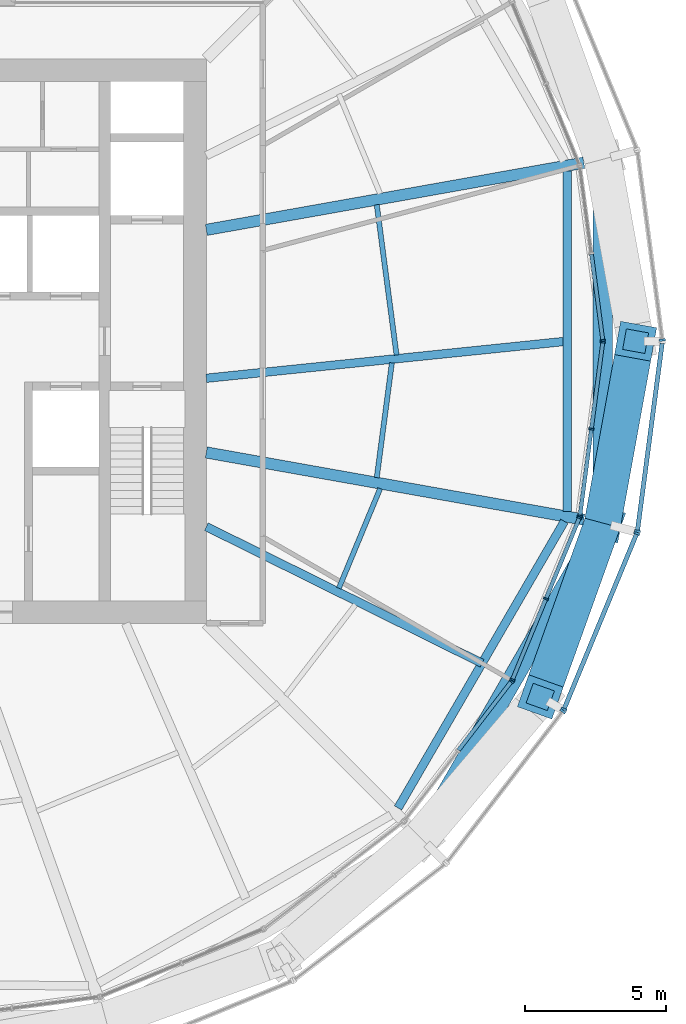
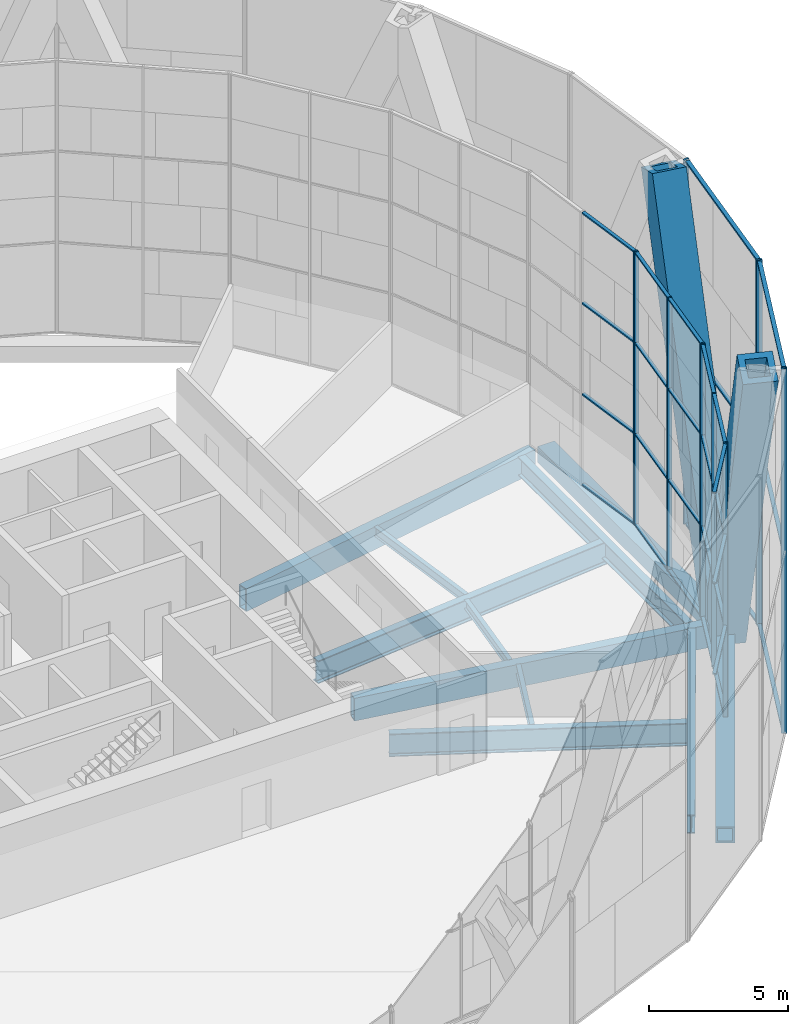
# One storey, part 5 of 26: 44 members, 11 beams, 8 elements without a shape of their own.
"""IFC4 building model written with IfcOpenShell, lengths in metres."""

from ifc_helpers import new_model, si_unit, direction, frame, origin, origin_2d, place, context, subcontext, project, spatial, rectangle, hollow_rectangle, i_section, extrude, material, material_profile, profile_set, type_object, element, aggregate, save


model = new_model("IFC4")

# Units and contexts
model_context = context("Model", 3, precision=1e-05, world=origin(), true_north=direction((0.0, 1.0)))
body_context = subcontext(model_context, "Body", "Model", "MODEL_VIEW")
ifc_project = project(units=[si_unit("LENGTHUNIT", "METRE"), si_unit("AREAUNIT", "SQUARE_METRE"), si_unit("VOLUMEUNIT", "CUBIC_METRE"), si_unit("PLANEANGLEUNIT", "RADIAN"), si_unit("MASSUNIT", "GRAM", prefix="KILO")], contexts=[model_context])

# Site, building, storey
site_placement = place(None, origin())
site = spatial("IfcSite", under=ifc_project, at=site_placement, CompositionType="ELEMENT")
building_placement = place(site_placement, origin())
building = spatial("IfcBuilding", under=site, at=building_placement, Name="Golbaran Civic Tower", CompositionType="ELEMENT")
storey_placement = place(building_placement, frame((0.0, 0.0, 69.0)))
storey = spatial("IfcBuildingStorey", under=building, at=storey_placement, Name="L16", CompositionType="ELEMENT", Elevation=69.0)

# Members
ifc_material_1 = material(Name="Steel S355", Category="steel")
ifc_material_profile_1 = material_profile(ifc_material_1, hollow_rectangle(XDim=1.300048828125, YDim=1.300048828125, WallThickness=0.25, at=origin_2d()), Name="BOX 1300x1300x250")
ifc_profile_set_1 = profile_set([ifc_material_profile_1], Name="Steel S355")
member_type_1 = type_object("IfcMemberType", Name="DIAGRID DIAGONAL BOX 1300x1300x250", PredefinedType="BRACE", material=ifc_profile_set_1)
for number, where, z_axis, x_axis, name in (
    (1, (24.04296875, -6.4423828125, -0.7099609375), (0.067560240882, 0.372654606272, 0.925507513895), (-0.983960468528, 0.178386648531, 0.0), "Diagonal D03-11R L16-L20"),
    (2, (24.04296875, -6.4423828125, -0.7099609375), (-0.127819765109, -0.356500071861, 0.925510565262), (0.941324428799, -0.337503066276, 0.0), "Diagonal D03-11L L16-L20"),
):
    element("IfcMember", number, at=place(storey_placement, frame(where, z_axis=z_axis, x_axis=x_axis)), inside=storey, type_object=member_type_1, Name=name, PredefinedType="BRACE", context=body_context, shape_type="SweptSolid", body=[
        extrude(hollow_rectangle(XDim=1.300048828125, YDim=1.300048828125, WallThickness=0.25, at=origin_2d()), origin(), (0.0, 0.0, 1.0), 17.287841796875),
    ])

# Beams
ifc_material_profile_2 = material_profile(ifc_material_1, hollow_rectangle(XDim=0.699951171875, YDim=0.699951171875, WallThickness=0.080078125, at=origin_2d()), Name="BOX 700x700x80")
ifc_profile_set_2 = profile_set([ifc_material_profile_2], Name="Steel S355")
beam_type_1 = type_object("IfcBeamType", Name="DIAGRID RING TIE BOX 700x700x80", PredefinedType="BEAM", material=ifc_profile_set_2)
beam_1_placement = place(storey_placement, frame((17.6005859375, -17.6005859375, -0.7099609375), z_axis=(0.500011131643, 0.866018976832, 0.0), x_axis=(-0.866018976832, 0.500011131643, 0.0)))
element("IfcBeam", 3, at=beam_1_placement, inside=storey, type_object=beam_type_1, Name="Ring tie 315.00 L16", PredefinedType="BEAM", context=body_context, shape_type="SweptSolid", body=[
    extrude(hollow_rectangle(XDim=0.699951171875, YDim=0.699951171875, WallThickness=0.080078125, at=origin_2d()), origin(), (0.0, 0.0, 1.0), 12.884521484375),
])
beam_2_placement = place(storey_placement, frame((24.04296875, -6.4423828125, -0.7099609375), z_axis=(0.0, 1.0, 0.0), x_axis=(-1.0, 0.0, 0.0)))
element("IfcBeam", 4, at=beam_2_placement, inside=storey, type_object=beam_type_1, Name="Ring tie 345.00 L16", PredefinedType="BEAM", context=body_context, shape_type="SweptSolid", body=[
    extrude(hollow_rectangle(XDim=0.699951171875, YDim=0.699951171875, WallThickness=0.080078125, at=origin_2d()), origin(), (0.0, 0.0, 1.0), 12.884765625),
])
ifc_material_profile_3 = material_profile(ifc_material_1, i_section(OverallWidth=0.300048828125, OverallDepth=0.800048828125, WebThickness=0.017578125, FlangeThickness=0.032958984375, FilletRadius=0.030029296875, at=origin_2d()), Name="HEB 800")
ifc_profile_set_3 = profile_set([ifc_material_profile_3], Name="Steel S355")
beam_type_2 = type_object("IfcBeamType", Name="EDGE BEAM HEB 800", PredefinedType="BEAM", material=ifc_profile_set_3)
beam_3_placement = place(storey_placement, frame((16.79345703125, -16.538818359375, -0.60009765625), z_axis=(0.50199656433, 0.864869614104, 0.0), x_axis=(-0.864869614104, 0.50199656433, 0.0)))
element("IfcBeam", 5, at=beam_3_placement, inside=storey, type_object=beam_type_2, Name="Edge beam 315.00 L16", PredefinedType="BEAM", context=body_context, shape_type="SweptSolid", body=[
    extrude(i_section(OverallWidth=0.300048828125, OverallDepth=0.800048828125, WebThickness=0.017578125, FlangeThickness=0.032958984375, FilletRadius=0.030029296875, at=origin_2d()), origin(), (0.0, 0.0, 1.0), 11.74169921875),
])
beam_4_placement = place(storey_placement, frame((22.783935546875, -6.035400390625, -0.60009765625), z_axis=(0.0, 1.0, 0.0), x_axis=(-1.0, 0.0, 0.0)))
element("IfcBeam", 6, at=beam_4_placement, inside=storey, type_object=beam_type_2, Name="Edge beam 345.00 L16", PredefinedType="BEAM", context=body_context, shape_type="SweptSolid", body=[
    extrude(i_section(OverallWidth=0.300048828125, OverallDepth=0.800048828125, WebThickness=0.017578125, FlangeThickness=0.032958984375, FilletRadius=0.030029296875, at=origin_2d()), origin(), (0.0, 0.0, 1.0), 12.07080078125),
])
ifc_material_profile_4 = material_profile(ifc_material_1, i_section(OverallWidth=0.179931640625, OverallDepth=0.39990234375, WebThickness=0.008544921875, FlangeThickness=0.013427734375, FilletRadius=0.02099609375, at=origin_2d()), Name="IPE 400")
ifc_profile_set_4 = profile_set([ifc_material_profile_4], Name="Steel S355")
beam_type_3 = type_object("IfcBeamType", Name="FLOOR INFILL BEAM IPE 400", PredefinedType="BEAM", material=ifc_profile_set_4)
beam_5_placement = place(storey_placement, frame((16.74072265625, -0.49072265625, -0.39990234375), z_axis=(-0.13053210805, 0.991444082522, 0.0), x_axis=(-0.991444082522, -0.13053210805, 0.0)))
element("IfcBeam", 7, at=beam_5_placement, inside=storey, type_object=beam_type_3, Name="Infill beam 7.50 L16", PredefinedType="BEAM", context=body_context, shape_type="SweptSolid", body=[
    extrude(i_section(OverallWidth=0.179931640625, OverallDepth=0.39990234375, WebThickness=0.008544921875, FlangeThickness=0.013427734375, FilletRadius=0.02099609375, at=origin_2d()), origin(), (0.0, 0.0, 1.0), 5.37158203125),
])
beam_6_placement = place(storey_placement, frame((14.696044921875, -8.75390625, -0.39990234375), z_axis=(0.382660123613, 0.923889186968, 0.0), x_axis=(-0.923889186968, 0.382660123613, 0.0)))
element("IfcBeam", 8, at=beam_6_placement, inside=storey, type_object=beam_type_3, Name="Infill beam 337.50 L16", PredefinedType="BEAM", context=body_context, shape_type="SweptSolid", body=[
    extrude(i_section(OverallWidth=0.179931640625, OverallDepth=0.39990234375, WebThickness=0.008544921875, FlangeThickness=0.013427734375, FilletRadius=0.02099609375, at=origin_2d()), origin(), (0.0, 0.0, 1.0), 3.822998046875),
])
beam_7_placement = place(storey_placement, frame((16.03955078125, -4.8349609375, -0.39990234375), z_axis=(0.130553069552, 0.991441322535, 0.0), x_axis=(-0.991441322535, 0.130553069552, 0.0)))
element("IfcBeam", 9, at=beam_7_placement, inside=storey, type_object=beam_type_3, Name="Infill beam 352.50 L16", PredefinedType="BEAM", context=body_context, shape_type="SweptSolid", body=[
    extrude(i_section(OverallWidth=0.179931640625, OverallDepth=0.39990234375, WebThickness=0.008544921875, FlangeThickness=0.013427734375, FilletRadius=0.02099609375, at=origin_2d()), origin(), (0.0, 0.0, 1.0), 4.10107421875),
])

# Curtain wall, member
ifc_material_2 = material(Name="Aluminium and glass", Category="aluminium")
curtain_wall_type_1 = type_object("IfcCurtainWallType", Name="INNER SKIN CURTAIN WALL", PredefinedType="NOTDEFINED", material=ifc_material_2)
curtain_wall_1_placement = place(storey_placement, origin())
curtain_wall_1 = element("IfcCurtainWall", 10, at=curtain_wall_1_placement, inside=storey, type_object=curtain_wall_type_1, Name="Inner skin L16 facet 1 CW1", ObjectType="INNER SKIN", PredefinedType="USERDEFINED")
ifc_material_3 = material(Name="Aluminium", Category="aluminium")
ifc_material_profile_5 = material_profile(ifc_material_3, rectangle(XDim=0.179931640625, YDim=0.06494140625, at=origin_2d()), Name="INNER SKIN CURTAIN WALL MULLION")
ifc_profile_set_5 = profile_set([ifc_material_profile_5], Name="Aluminium")
member_type_2 = type_object("IfcMemberType", Name="INNER SKIN CURTAIN WALL MULLION", PredefinedType="MULLION", material=ifc_profile_set_5)
member_1_placement = place(storey_placement, frame((24.048828125, 0.0322265625, 0.0), z_axis=(0.0, 0.0, 1.0), x_axis=(-0.991444861381, -0.130526192168, 0.0)))
member_1 = element("IfcMember", 11, at=member_1_placement, type_object=member_type_2, Name="CW1 mullion 1", PredefinedType="MULLION", context=body_context, shape_type="SweptSolid", body=[
    extrude(rectangle(XDim=0.179931640625, YDim=0.06494140625, at=origin_2d()), origin(), (0.0, 0.0, 1.0), 12.0),
])

curtain_wall_2_placement = place(storey_placement, origin())
curtain_wall_2 = element("IfcCurtainWall", 12, at=curtain_wall_2_placement, inside=storey, type_object=curtain_wall_type_1, Name="Inner skin L16 facet 22 CW1", ObjectType="INNER SKIN", PredefinedType="USERDEFINED")
member_2_placement = place(storey_placement, frame((20.810791015625, -12.05224609375, 0.0), z_axis=(0.0, 0.0, 1.0), x_axis=(-0.793353340323, 0.608761428967, 0.0)))
member_2 = element("IfcMember", 13, at=member_2_placement, type_object=member_type_2, Name="CW1 mullion 3", PredefinedType="MULLION", context=body_context, shape_type="SweptSolid", body=[
    extrude(rectangle(XDim=0.179931640625, YDim=0.06494140625, at=origin_2d()), origin(), (0.0, 0.0, 1.0), 12.0),
])

# Curtain wall, members
curtain_wall_3_placement = place(storey_placement, origin())
curtain_wall_3 = element("IfcCurtainWall", 14, at=curtain_wall_3_placement, inside=storey, type_object=curtain_wall_type_1, Name="Inner skin L16 facet 23 CW1", ObjectType="INNER SKIN", PredefinedType="USERDEFINED")
member_3_placement = place(storey_placement, frame((20.843017578125, -11.99658203125, 0.0), z_axis=(0.0, 0.0, 1.0), x_axis=(-0.923879532478, 0.382683432446, 0.0)))
member_3 = element("IfcMember", 15, at=member_3_placement, type_object=member_type_2, Name="CW1 mullion 1", PredefinedType="MULLION", context=body_context, shape_type="SweptSolid", body=[
    extrude(rectangle(XDim=0.179931640625, YDim=0.06494140625, at=origin_2d()), origin(), (0.0, 0.0, 1.0), 12.0),
])
member_4_placement = place(storey_placement, frame((22.031982421875, -9.1259765625, 0.0), z_axis=(0.0, 0.0, 1.0), x_axis=(-0.923879532478, 0.382683432446, 0.0)))
member_4 = element("IfcMember", 16, at=member_4_placement, type_object=member_type_2, Name="CW1 mullion 2", PredefinedType="MULLION", context=body_context, shape_type="SweptSolid", body=[
    extrude(rectangle(XDim=0.179931640625, YDim=0.06494140625, at=origin_2d()), origin(), (0.0, 0.0, 1.0), 12.0),
])
member_5_placement = place(storey_placement, frame((23.220947265625, -6.25537109375, 0.0), z_axis=(0.0, 0.0, 1.0), x_axis=(-0.923879532478, 0.382683432446, 0.0)))
member_5 = element("IfcMember", 17, at=member_5_placement, type_object=member_type_2, Name="CW1 mullion 3", PredefinedType="MULLION", context=body_context, shape_type="SweptSolid", body=[
    extrude(rectangle(XDim=0.179931640625, YDim=0.06494140625, at=origin_2d()), origin(), (0.0, 0.0, 1.0), 12.0),
])

curtain_wall_4_placement = place(storey_placement, origin())
curtain_wall_4 = element("IfcCurtainWall", 18, at=curtain_wall_4_placement, inside=storey, type_object=curtain_wall_type_1, Name="Inner skin L16 facet 24 CW1", ObjectType="INNER SKIN", PredefinedType="USERDEFINED")
member_6_placement = place(storey_placement, frame((23.237548828125, -6.193115234375, 0.0), z_axis=(0.0, 0.0, 1.0), x_axis=(-0.991444861381, 0.130526192168, 0.0)))
member_6 = element("IfcMember", 19, at=member_6_placement, type_object=member_type_2, Name="CW1 mullion 1", PredefinedType="MULLION", context=body_context, shape_type="SweptSolid", body=[
    extrude(rectangle(XDim=0.179931640625, YDim=0.06494140625, at=origin_2d()), origin(), (0.0, 0.0, 1.0), 12.0),
])
member_7_placement = place(storey_placement, frame((23.643310546875, -3.11279296875, 0.0), z_axis=(0.0, 0.0, 1.0), x_axis=(-0.991444861381, 0.130526192168, 0.0)))
member_7 = element("IfcMember", 20, at=member_7_placement, type_object=member_type_2, Name="CW1 mullion 2", PredefinedType="MULLION", context=body_context, shape_type="SweptSolid", body=[
    extrude(rectangle(XDim=0.179931640625, YDim=0.06494140625, at=origin_2d()), origin(), (0.0, 0.0, 1.0), 12.0),
])
member_8_placement = place(storey_placement, frame((24.048828125, -0.0322265625, 0.0), z_axis=(0.0, 0.0, 1.0), x_axis=(-0.991444861381, 0.130526192168, 0.0)))
member_8 = element("IfcMember", 21, at=member_8_placement, type_object=member_type_2, Name="CW1 mullion 3", PredefinedType="MULLION", context=body_context, shape_type="SweptSolid", body=[
    extrude(rectangle(XDim=0.179931640625, YDim=0.06494140625, at=origin_2d()), origin(), (0.0, 0.0, 1.0), 12.0),
])

# Member
ifc_material_profile_6 = material_profile(ifc_material_3, rectangle(XDim=0.139892578125, YDim=0.06494140625, at=origin_2d()), Name="INNER SKIN CURTAIN WALL TRANSOM")
ifc_profile_set_6 = profile_set([ifc_material_profile_6], Name="Aluminium")
member_type_3 = type_object("IfcMemberType", Name="INNER SKIN CURTAIN WALL TRANSOM", PredefinedType="USERDEFINED", material=ifc_profile_set_6)
member_9_placement = place(storey_placement, frame((24.04443359375, 0.064453125, 0.032470703125), z_axis=(-0.130491880255, 0.991449378026, 0.0), x_axis=(-0.991449378026, -0.130491880255, 0.0)))
member_9 = element("IfcMember", 22, at=member_9_placement, type_object=member_type_3, Name="CW1 transom 1.1", ObjectType="TRANSOM", PredefinedType="USERDEFINED", context=body_context, shape_type="SweptSolid", body=[
    extrude(rectangle(XDim=0.139892578125, YDim=0.06494140625, at=origin_2d()), origin(), (0.0, 0.0, 1.0), 3.042236328125),
])

member_10_placement = place(storey_placement, frame((24.04443359375, 0.064453125, 4.0), z_axis=(-0.130491880255, 0.991449378026, 0.0), x_axis=(-0.991449378026, -0.130491880255, 0.0)))
member_10 = element("IfcMember", 23, at=member_10_placement, type_object=member_type_3, Name="CW1 transom 1.2", ObjectType="TRANSOM", PredefinedType="USERDEFINED", context=body_context, shape_type="SweptSolid", body=[
    extrude(rectangle(XDim=0.139892578125, YDim=0.06494140625, at=origin_2d()), origin(), (0.0, 0.0, 1.0), 3.042236328125),
])

member_11_placement = place(storey_placement, frame((24.04443359375, 0.064453125, 8.0), z_axis=(-0.130491880255, 0.991449378026, 0.0), x_axis=(-0.991449378026, -0.130491880255, 0.0)))
member_11 = element("IfcMember", 24, at=member_11_placement, type_object=member_type_3, Name="CW1 transom 1.3", ObjectType="TRANSOM", PredefinedType="USERDEFINED", context=body_context, shape_type="SweptSolid", body=[
    extrude(rectangle(XDim=0.139892578125, YDim=0.06494140625, at=origin_2d()), origin(), (0.0, 0.0, 1.0), 3.042236328125),
])

member_12_placement = place(storey_placement, frame((24.04443359375, 0.064453125, 11.967529296875), z_axis=(-0.130491880255, 0.991449378026, 0.0), x_axis=(-0.991449378026, -0.130491880255, 0.0)))
member_12 = element("IfcMember", 25, at=member_12_placement, type_object=member_type_3, Name="CW1 transom 1.4", ObjectType="TRANSOM", PredefinedType="USERDEFINED", context=body_context, shape_type="SweptSolid", body=[
    extrude(rectangle(XDim=0.139892578125, YDim=0.06494140625, at=origin_2d()), origin(), (0.0, 0.0, 1.0), 3.042236328125),
])

aggregate(curtain_wall_1, [member_1, member_9, member_10, member_11, member_12])

member_13_placement = place(storey_placement, frame((18.93896484375, -14.491455078125, 4.0), z_axis=(0.608810562982, 0.79331563605, 0.0), x_axis=(-0.79331563605, 0.608810562982, 0.0)))
member_13 = element("IfcMember", 26, at=member_13_placement, type_object=member_type_3, Name="CW1 transom 2.2", ObjectType="TRANSOM", PredefinedType="USERDEFINED", context=body_context, shape_type="SweptSolid", body=[
    extrude(rectangle(XDim=0.139892578125, YDim=0.06494140625, at=origin_2d()), origin(), (0.0, 0.0, 1.0), 3.0419921875),
])

member_14_placement = place(storey_placement, frame((18.93896484375, -14.491455078125, 8.0), z_axis=(0.608810562982, 0.79331563605, 0.0), x_axis=(-0.79331563605, 0.608810562982, 0.0)))
member_14 = element("IfcMember", 27, at=member_14_placement, type_object=member_type_3, Name="CW1 transom 2.3", ObjectType="TRANSOM", PredefinedType="USERDEFINED", context=body_context, shape_type="SweptSolid", body=[
    extrude(rectangle(XDim=0.139892578125, YDim=0.06494140625, at=origin_2d()), origin(), (0.0, 0.0, 1.0), 3.0419921875),
])

member_15_placement = place(storey_placement, frame((18.93896484375, -14.491455078125, 11.967529296875), z_axis=(0.608810562982, 0.79331563605, 0.0), x_axis=(-0.79331563605, 0.608810562982, 0.0)))
member_15 = element("IfcMember", 28, at=member_15_placement, type_object=member_type_3, Name="CW1 transom 2.4", ObjectType="TRANSOM", PredefinedType="USERDEFINED", context=body_context, shape_type="SweptSolid", body=[
    extrude(rectangle(XDim=0.139892578125, YDim=0.06494140625, at=origin_2d()), origin(), (0.0, 0.0, 1.0), 3.0419921875),
])

aggregate(curtain_wall_2, [member_2, member_13, member_14, member_15])

member_16_placement = place(storey_placement, frame((20.85546875, -11.966552734375, 0.032470703125), z_axis=(0.382654214168, 0.923891634543, 0.0), x_axis=(-0.923891634543, 0.382654214168, 0.0)))
member_16 = element("IfcMember", 29, at=member_16_placement, type_object=member_type_3, Name="CW1 transom 1.1", ObjectType="TRANSOM", PredefinedType="USERDEFINED", context=body_context, shape_type="SweptSolid", body=[
    extrude(rectangle(XDim=0.139892578125, YDim=0.06494140625, at=origin_2d()), origin(), (0.0, 0.0, 1.0), 3.0419921875),
])

member_17_placement = place(storey_placement, frame((20.85546875, -11.966552734375, 4.0), z_axis=(0.382654214168, 0.923891634543, 0.0), x_axis=(-0.923891634543, 0.382654214168, 0.0)))
member_17 = element("IfcMember", 30, at=member_17_placement, type_object=member_type_3, Name="CW1 transom 1.2", ObjectType="TRANSOM", PredefinedType="USERDEFINED", context=body_context, shape_type="SweptSolid", body=[
    extrude(rectangle(XDim=0.139892578125, YDim=0.06494140625, at=origin_2d()), origin(), (0.0, 0.0, 1.0), 3.0419921875),
])

member_18_placement = place(storey_placement, frame((20.85546875, -11.966552734375, 8.0), z_axis=(0.382654214168, 0.923891634543, 0.0), x_axis=(-0.923891634543, 0.382654214168, 0.0)))
member_18 = element("IfcMember", 31, at=member_18_placement, type_object=member_type_3, Name="CW1 transom 1.3", ObjectType="TRANSOM", PredefinedType="USERDEFINED", context=body_context, shape_type="SweptSolid", body=[
    extrude(rectangle(XDim=0.139892578125, YDim=0.06494140625, at=origin_2d()), origin(), (0.0, 0.0, 1.0), 3.0419921875),
])

member_19_placement = place(storey_placement, frame((20.85546875, -11.966552734375, 11.967529296875), z_axis=(0.382654214168, 0.923891634543, 0.0), x_axis=(-0.923891634543, 0.382654214168, 0.0)))
member_19 = element("IfcMember", 32, at=member_19_placement, type_object=member_type_3, Name="CW1 transom 1.4", ObjectType="TRANSOM", PredefinedType="USERDEFINED", context=body_context, shape_type="SweptSolid", body=[
    extrude(rectangle(XDim=0.139892578125, YDim=0.06494140625, at=origin_2d()), origin(), (0.0, 0.0, 1.0), 3.0419921875),
])

member_20_placement = place(storey_placement, frame((22.04443359375, -9.095947265625, 0.032470703125), z_axis=(0.382654214168, 0.923891634543, 0.0), x_axis=(-0.923891634543, 0.382654214168, 0.0)))
member_20 = element("IfcMember", 33, at=member_20_placement, type_object=member_type_3, Name="CW1 transom 2.1", ObjectType="TRANSOM", PredefinedType="USERDEFINED", context=body_context, shape_type="SweptSolid", body=[
    extrude(rectangle(XDim=0.139892578125, YDim=0.06494140625, at=origin_2d()), origin(), (0.0, 0.0, 1.0), 3.0419921875),
])

member_21_placement = place(storey_placement, frame((22.04443359375, -9.095947265625, 4.0), z_axis=(0.382654214168, 0.923891634543, 0.0), x_axis=(-0.923891634543, 0.382654214168, 0.0)))
member_21 = element("IfcMember", 34, at=member_21_placement, type_object=member_type_3, Name="CW1 transom 2.2", ObjectType="TRANSOM", PredefinedType="USERDEFINED", context=body_context, shape_type="SweptSolid", body=[
    extrude(rectangle(XDim=0.139892578125, YDim=0.06494140625, at=origin_2d()), origin(), (0.0, 0.0, 1.0), 3.0419921875),
])

member_22_placement = place(storey_placement, frame((22.04443359375, -9.095947265625, 8.0), z_axis=(0.382654214168, 0.923891634543, 0.0), x_axis=(-0.923891634543, 0.382654214168, 0.0)))
member_22 = element("IfcMember", 35, at=member_22_placement, type_object=member_type_3, Name="CW1 transom 2.3", ObjectType="TRANSOM", PredefinedType="USERDEFINED", context=body_context, shape_type="SweptSolid", body=[
    extrude(rectangle(XDim=0.139892578125, YDim=0.06494140625, at=origin_2d()), origin(), (0.0, 0.0, 1.0), 3.0419921875),
])

member_23_placement = place(storey_placement, frame((22.04443359375, -9.095947265625, 11.967529296875), z_axis=(0.382654214168, 0.923891634543, 0.0), x_axis=(-0.923891634543, 0.382654214168, 0.0)))
member_23 = element("IfcMember", 36, at=member_23_placement, type_object=member_type_3, Name="CW1 transom 2.4", ObjectType="TRANSOM", PredefinedType="USERDEFINED", context=body_context, shape_type="SweptSolid", body=[
    extrude(rectangle(XDim=0.139892578125, YDim=0.06494140625, at=origin_2d()), origin(), (0.0, 0.0, 1.0), 3.0419921875),
])

aggregate(curtain_wall_3, [member_3, member_4, member_5, member_16, member_17, member_18, member_19, member_20, member_21, member_22, member_23])

member_24_placement = place(storey_placement, frame((23.241943359375, -6.160888671875, 0.032470703125), z_axis=(0.130502263934, 0.991448011299, 0.0), x_axis=(-0.991448011299, 0.130502263934, 0.0)))
member_24 = element("IfcMember", 37, at=member_24_placement, type_object=member_type_3, Name="CW1 transom 1.1", ObjectType="TRANSOM", PredefinedType="USERDEFINED", context=body_context, shape_type="SweptSolid", body=[
    extrude(rectangle(XDim=0.139892578125, YDim=0.06494140625, at=origin_2d()), origin(), (0.0, 0.0, 1.0), 3.0419921875),
])

member_25_placement = place(storey_placement, frame((23.241943359375, -6.160888671875, 4.0), z_axis=(0.130502263934, 0.991448011299, 0.0), x_axis=(-0.991448011299, 0.130502263934, 0.0)))
member_25 = element("IfcMember", 38, at=member_25_placement, type_object=member_type_3, Name="CW1 transom 1.2", ObjectType="TRANSOM", PredefinedType="USERDEFINED", context=body_context, shape_type="SweptSolid", body=[
    extrude(rectangle(XDim=0.139892578125, YDim=0.06494140625, at=origin_2d()), origin(), (0.0, 0.0, 1.0), 3.0419921875),
])

member_26_placement = place(storey_placement, frame((23.241943359375, -6.160888671875, 8.0), z_axis=(0.130502263934, 0.991448011299, 0.0), x_axis=(-0.991448011299, 0.130502263934, 0.0)))
member_26 = element("IfcMember", 39, at=member_26_placement, type_object=member_type_3, Name="CW1 transom 1.3", ObjectType="TRANSOM", PredefinedType="USERDEFINED", context=body_context, shape_type="SweptSolid", body=[
    extrude(rectangle(XDim=0.139892578125, YDim=0.06494140625, at=origin_2d()), origin(), (0.0, 0.0, 1.0), 3.0419921875),
])

member_27_placement = place(storey_placement, frame((23.241943359375, -6.160888671875, 11.967529296875), z_axis=(0.130502263934, 0.991448011299, 0.0), x_axis=(-0.991448011299, 0.130502263934, 0.0)))
member_27 = element("IfcMember", 40, at=member_27_placement, type_object=member_type_3, Name="CW1 transom 1.4", ObjectType="TRANSOM", PredefinedType="USERDEFINED", context=body_context, shape_type="SweptSolid", body=[
    extrude(rectangle(XDim=0.139892578125, YDim=0.06494140625, at=origin_2d()), origin(), (0.0, 0.0, 1.0), 3.0419921875),
])

member_28_placement = place(storey_placement, frame((23.6474609375, -3.08056640625, 0.032470703125), z_axis=(0.130491880255, 0.991449378026, 0.0), x_axis=(-0.991449378026, 0.130491880255, 0.0)))
member_28 = element("IfcMember", 41, at=member_28_placement, type_object=member_type_3, Name="CW1 transom 2.1", ObjectType="TRANSOM", PredefinedType="USERDEFINED", context=body_context, shape_type="SweptSolid", body=[
    extrude(rectangle(XDim=0.139892578125, YDim=0.06494140625, at=origin_2d()), origin(), (0.0, 0.0, 1.0), 3.042236328125),
])

member_29_placement = place(storey_placement, frame((23.6474609375, -3.08056640625, 4.0), z_axis=(0.130491880255, 0.991449378026, 0.0), x_axis=(-0.991449378026, 0.130491880255, 0.0)))
member_29 = element("IfcMember", 42, at=member_29_placement, type_object=member_type_3, Name="CW1 transom 2.2", ObjectType="TRANSOM", PredefinedType="USERDEFINED", context=body_context, shape_type="SweptSolid", body=[
    extrude(rectangle(XDim=0.139892578125, YDim=0.06494140625, at=origin_2d()), origin(), (0.0, 0.0, 1.0), 3.042236328125),
])

member_30_placement = place(storey_placement, frame((23.6474609375, -3.08056640625, 8.0), z_axis=(0.130491880255, 0.991449378026, 0.0), x_axis=(-0.991449378026, 0.130491880255, 0.0)))
member_30 = element("IfcMember", 43, at=member_30_placement, type_object=member_type_3, Name="CW1 transom 2.3", ObjectType="TRANSOM", PredefinedType="USERDEFINED", context=body_context, shape_type="SweptSolid", body=[
    extrude(rectangle(XDim=0.139892578125, YDim=0.06494140625, at=origin_2d()), origin(), (0.0, 0.0, 1.0), 3.042236328125),
])

member_31_placement = place(storey_placement, frame((23.6474609375, -3.08056640625, 11.967529296875), z_axis=(0.130491880255, 0.991449378026, 0.0), x_axis=(-0.991449378026, 0.130491880255, 0.0)))
member_31 = element("IfcMember", 44, at=member_31_placement, type_object=member_type_3, Name="CW1 transom 2.4", ObjectType="TRANSOM", PredefinedType="USERDEFINED", context=body_context, shape_type="SweptSolid", body=[
    extrude(rectangle(XDim=0.139892578125, YDim=0.06494140625, at=origin_2d()), origin(), (0.0, 0.0, 1.0), 3.042236328125),
])

aggregate(curtain_wall_4, [member_6, member_7, member_8, member_24, member_25, member_26, member_27, member_28, member_29, member_30, member_31])

# Curtain wall, member
curtain_wall_type_2 = type_object("IfcCurtainWallType", Name="OUTER SKIN TERRACOTTA SCREEN", PredefinedType="NOTDEFINED", material=ifc_material_2)
curtain_wall_5_placement = place(storey_placement, origin())
curtain_wall_5 = element("IfcCurtainWall", 45, at=curtain_wall_5_placement, inside=storey, type_object=curtain_wall_type_2, Name="Outer skin L16 facet 1 CW3", ObjectType="OUTER SKIN", PredefinedType="USERDEFINED")
ifc_material_profile_7 = material_profile(ifc_material_3, rectangle(XDim=0.219970703125, YDim=0.080078125, at=origin_2d()), Name="OUTER SKIN TERRACOTTA SCREEN MULLION")
ifc_profile_set_7 = profile_set([ifc_material_profile_7], Name="Aluminium")
member_type_4 = type_object("IfcMemberType", Name="OUTER SKIN TERRACOTTA SCREEN MULLION", PredefinedType="MULLION", material=ifc_profile_set_7)
member_32_placement = place(storey_placement, frame((26.15576171875, 0.03955078125, -0.7099609375), z_axis=(0.0, 0.0, 1.0), x_axis=(-0.991444861383, -0.130526192151, 0.0)))
member_32 = element("IfcMember", 46, at=member_32_placement, type_object=member_type_4, Name="CW3 mullion 1", PredefinedType="MULLION", context=body_context, shape_type="SweptSolid", body=[
    extrude(rectangle(XDim=0.219970703125, YDim=0.080078125, at=origin_2d()), origin(), (0.0, 0.0, 1.0), 16.0),
])
aggregate(curtain_wall_5, [member_32])

curtain_wall_6_placement = place(storey_placement, origin())
curtain_wall_6 = element("IfcCurtainWall", 47, at=curtain_wall_6_placement, inside=storey, type_object=curtain_wall_type_2, Name="Outer skin L16 facet 22 CW3", ObjectType="OUTER SKIN", PredefinedType="USERDEFINED")
member_33_placement = place(storey_placement, frame((22.6318359375, -13.1123046875, -0.7099609375), z_axis=(0.0, 0.0, 1.0), x_axis=(-0.793353340366, 0.608761428912, 0.0)))
member_33 = element("IfcMember", 48, at=member_33_placement, type_object=member_type_4, Name="CW3 mullion 2", PredefinedType="MULLION", context=body_context, shape_type="SweptSolid", body=[
    extrude(rectangle(XDim=0.219970703125, YDim=0.080078125, at=origin_2d()), origin(), (0.0, 0.0, 1.0), 16.0),
])
aggregate(curtain_wall_6, [member_33])

# Curtain wall, members
curtain_wall_7_placement = place(storey_placement, origin())
curtain_wall_7 = element("IfcCurtainWall", 49, at=curtain_wall_7_placement, inside=storey, type_object=curtain_wall_type_2, Name="Outer skin L16 facet 23 CW3", ObjectType="OUTER SKIN", PredefinedType="USERDEFINED")
member_34_placement = place(storey_placement, frame((22.67138671875, -13.04345703125, -0.7099609375), z_axis=(0.0, 0.0, 1.0), x_axis=(-0.923879532465, 0.382683432478, 0.0)))
member_34 = element("IfcMember", 50, at=member_34_placement, type_object=member_type_4, Name="CW3 mullion 1", PredefinedType="MULLION", context=body_context, shape_type="SweptSolid", body=[
    extrude(rectangle(XDim=0.219970703125, YDim=0.080078125, at=origin_2d()), origin(), (0.0, 0.0, 1.0), 16.0),
])
member_35_placement = place(storey_placement, frame((25.25439453125, -6.807861328125, -0.7099609375), z_axis=(0.0, 0.0, 1.0), x_axis=(-0.923879532465, 0.382683432478, 0.0)))
member_35 = element("IfcMember", 51, at=member_35_placement, type_object=member_type_4, Name="CW3 mullion 2", PredefinedType="MULLION", context=body_context, shape_type="SweptSolid", body=[
    extrude(rectangle(XDim=0.219970703125, YDim=0.080078125, at=origin_2d()), origin(), (0.0, 0.0, 1.0), 16.0),
])

# Curtain wall, member
curtain_wall_8_placement = place(storey_placement, origin())
curtain_wall_8 = element("IfcCurtainWall", 52, at=curtain_wall_8_placement, inside=storey, type_object=curtain_wall_type_2, Name="Outer skin L16 facet 24 CW3", ObjectType="OUTER SKIN", PredefinedType="USERDEFINED")
member_36_placement = place(storey_placement, frame((25.27490234375, -6.731201171875, -0.7099609375), z_axis=(0.0, 0.0, 1.0), x_axis=(-0.991444861383, 0.130526192151, 0.0)))
member_36 = element("IfcMember", 53, at=member_36_placement, type_object=member_type_4, Name="CW3 mullion 1", PredefinedType="MULLION", context=body_context, shape_type="SweptSolid", body=[
    extrude(rectangle(XDim=0.219970703125, YDim=0.080078125, at=origin_2d()), origin(), (0.0, 0.0, 1.0), 16.0),
])

# Member
ifc_material_profile_8 = material_profile(ifc_material_3, rectangle(XDim=0.159912109375, YDim=0.080078125, at=origin_2d()), Name="OUTER SKIN TERRACOTTA SCREEN TRANSOM")
ifc_profile_set_8 = profile_set([ifc_material_profile_8], Name="Aluminium")
member_type_5 = type_object("IfcMemberType", Name="OUTER SKIN TERRACOTTA SCREEN TRANSOM", PredefinedType="USERDEFINED", material=ifc_profile_set_8)
member_37_placement = place(storey_placement, frame((22.686767578125, -13.006591796875, -0.669921875), z_axis=(0.382685873056, 0.92387852154, 0.0), x_axis=(-0.92387852154, 0.382685873056, 0.0)))
member_37 = element("IfcMember", 54, at=member_37_placement, type_object=member_type_5, Name="CW3 transom 1.1", ObjectType="TRANSOM", PredefinedType="USERDEFINED", context=body_context, shape_type="SweptSolid", body=[
    extrude(rectangle(XDim=0.159912109375, YDim=0.080078125, at=origin_2d()), origin(), (0.0, 0.0, 1.0), 6.669189453125),
])

member_38_placement = place(storey_placement, frame((22.686767578125, -13.006591796875, 7.2900390625), z_axis=(0.382685873056, 0.92387852154, 0.0), x_axis=(-0.92387852154, 0.382685873056, 0.0)))
member_38 = element("IfcMember", 55, at=member_38_placement, type_object=member_type_5, Name="CW3 transom 1.2", ObjectType="TRANSOM", PredefinedType="USERDEFINED", context=body_context, shape_type="SweptSolid", body=[
    extrude(rectangle(XDim=0.159912109375, YDim=0.080078125, at=origin_2d()), origin(), (0.0, 0.0, 1.0), 6.669189453125),
])

member_39_placement = place(storey_placement, frame((22.686767578125, -13.006591796875, 15.25), z_axis=(0.382685873056, 0.92387852154, 0.0), x_axis=(-0.92387852154, 0.382685873056, 0.0)))
member_39 = element("IfcMember", 56, at=member_39_placement, type_object=member_type_5, Name="CW3 transom 1.3", ObjectType="TRANSOM", PredefinedType="USERDEFINED", context=body_context, shape_type="SweptSolid", body=[
    extrude(rectangle(XDim=0.159912109375, YDim=0.080078125, at=origin_2d()), origin(), (0.0, 0.0, 1.0), 6.669189453125),
])

aggregate(curtain_wall_7, [member_34, member_35, member_37, member_38, member_39])

member_40_placement = place(storey_placement, frame((25.280029296875, -6.691650390625, -0.669921875), z_axis=(0.130537841761, 0.991443327613, 0.0), x_axis=(-0.991443327613, 0.130537841761, 0.0)))
member_40 = element("IfcMember", 57, at=member_40_placement, type_object=member_type_5, Name="CW3 transom 1.1", ObjectType="TRANSOM", PredefinedType="USERDEFINED", context=body_context, shape_type="SweptSolid", body=[
    extrude(rectangle(XDim=0.159912109375, YDim=0.080078125, at=origin_2d()), origin(), (0.0, 0.0, 1.0), 6.66943359375),
])

member_41_placement = place(storey_placement, frame((25.280029296875, -6.691650390625, 7.2900390625), z_axis=(0.130537841761, 0.991443327613, 0.0), x_axis=(-0.991443327613, 0.130537841761, 0.0)))
member_41 = element("IfcMember", 58, at=member_41_placement, type_object=member_type_5, Name="CW3 transom 1.2", ObjectType="TRANSOM", PredefinedType="USERDEFINED", context=body_context, shape_type="SweptSolid", body=[
    extrude(rectangle(XDim=0.159912109375, YDim=0.080078125, at=origin_2d()), origin(), (0.0, 0.0, 1.0), 6.66943359375),
])

member_42_placement = place(storey_placement, frame((25.280029296875, -6.691650390625, 15.25), z_axis=(0.130537841761, 0.991443327613, 0.0), x_axis=(-0.991443327613, 0.130537841761, 0.0)))
member_42 = element("IfcMember", 59, at=member_42_placement, type_object=member_type_5, Name="CW3 transom 1.3", ObjectType="TRANSOM", PredefinedType="USERDEFINED", context=body_context, shape_type="SweptSolid", body=[
    extrude(rectangle(XDim=0.159912109375, YDim=0.080078125, at=origin_2d()), origin(), (0.0, 0.0, 1.0), 6.66943359375),
])

aggregate(curtain_wall_8, [member_36, member_40, member_41, member_42])

# Beams
ifc_material_profile_9 = material_profile(ifc_material_1, hollow_rectangle(XDim=0.39990234375, YDim=1.0, WallThickness=0.0400390625, at=origin_2d()), Name="BOX 1000x400x40")
ifc_profile_set_9 = profile_set([ifc_material_profile_9], Name="Steel S355")
beam_type_4 = type_object("IfcBeamType", Name="RADIAL FLOOR BEAM BOX 1000x400x40", PredefinedType="BEAM", material=ifc_profile_set_9)
for number, where, z_axis, x_axis, name in (
    (60, (10.0, 3.94287109375, -0.7099609375), (0.984526493234, 0.175235795771, 0.0), (-0.175235795771, 0.984526493234, 0.0), "Radial beam 15.00 L16"),
    (61, (10.0, -3.94287109375, -0.7099609375), (0.984526493234, -0.175235795771, 0.0), (0.175235795771, 0.984526493234, 0.0), "Radial beam 345.00 L16"),
):
    element("IfcBeam", number, at=place(storey_placement, frame(where, z_axis=z_axis, x_axis=x_axis)), inside=storey, type_object=beam_type_4, Name=name, PredefinedType="BEAM", context=body_context, shape_type="SweptSolid", body=[
        extrude(hollow_rectangle(XDim=0.39990234375, YDim=1.0, WallThickness=0.0400390625, at=origin_2d()), origin(), (0.0, 0.0, 1.0), 13.585205078125),
    ])
ifc_material_profile_10 = material_profile(ifc_material_1, i_section(OverallWidth=0.300048828125, OverallDepth=1.0, WebThickness=0.01904296875, FlangeThickness=0.035888671875, FilletRadius=0.030029296875, at=origin_2d()), Name="HEB 1000")
ifc_profile_set_10 = profile_set([ifc_material_profile_10], Name="Steel S355")
beam_type_5 = type_object("IfcBeamType", Name="SECONDARY FLOOR BEAM HEB 1000", PredefinedType="BEAM", material=ifc_profile_set_10)
beam_8_placement = place(storey_placement, frame((10.0, -1.314208984375, -0.7099609375), z_axis=(0.99475743272, 0.102262652261, 0.0), x_axis=(-0.102262652261, 0.99475743272, 0.0)))
element("IfcBeam", 62, at=beam_8_placement, inside=storey, type_object=beam_type_5, Name="Secondary beam 0.00 L16", PredefinedType="BEAM", context=body_context, shape_type="SweptSolid", body=[
    extrude(i_section(OverallWidth=0.300048828125, OverallDepth=1.0, WebThickness=0.01904296875, FlangeThickness=0.035888671875, FilletRadius=0.030029296875, at=origin_2d()), origin(), (0.0, 0.0, 1.0), 12.851318359375),
])
beam_9_placement = place(storey_placement, frame((10.0, -6.571533203125, -0.7099609375), z_axis=(0.895980297639, -0.444093803428, 0.0), x_axis=(0.444093803428, 0.895980297639, 0.0)))
element("IfcBeam", 63, at=beam_9_placement, inside=storey, type_object=beam_type_5, Name="Secondary beam 330.00 L16", PredefinedType="BEAM", context=body_context, shape_type="SweptSolid", body=[
    extrude(i_section(OverallWidth=0.300048828125, OverallDepth=1.0, WebThickness=0.01904296875, FlangeThickness=0.035888671875, FilletRadius=0.030029296875, at=origin_2d()), origin(), (0.0, 0.0, 1.0), 10.902587890625),
])

save(model, "model.ifc")
